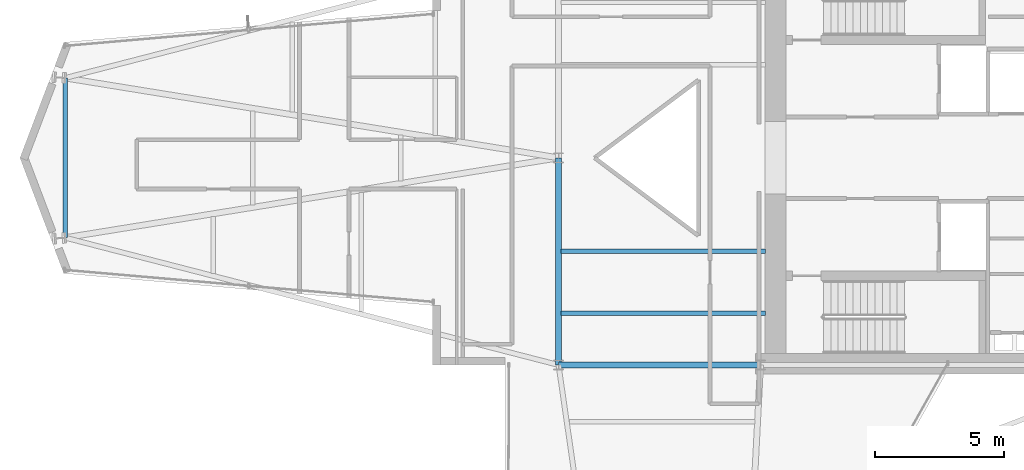
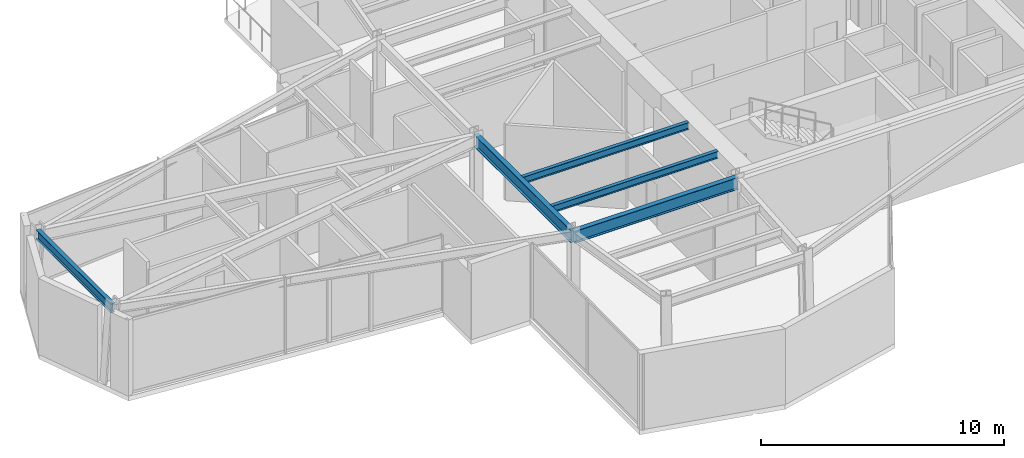
# One storey, part 6 of 23: 5 beams.
"""IFC4 building model written with IfcOpenShell, lengths in metres."""

from ifc_helpers import new_model, si_unit, direction, frame, origin, origin_2d, place, context, subcontext, project, spatial, i_section, extrude, material, material_profile, profile_set, type_object, element, save


model = new_model("IFC4")

# Units and contexts
model_context = context("Model", 3, precision=1e-05, world=origin(), true_north=direction((0.0, 1.0)))
body_context = subcontext(model_context, "Body", "Model", "MODEL_VIEW")
ifc_project = project(units=[si_unit("LENGTHUNIT", "METRE"), si_unit("AREAUNIT", "SQUARE_METRE"), si_unit("VOLUMEUNIT", "CUBIC_METRE"), si_unit("PLANEANGLEUNIT", "RADIAN"), si_unit("MASSUNIT", "GRAM", prefix="KILO")], contexts=[model_context])

# Site, building, storey
site_placement = place(None, origin())
site = spatial("IfcSite", under=ifc_project, at=site_placement, CompositionType="ELEMENT")
building_placement = place(site_placement, origin())
building = spatial("IfcBuilding", under=site, at=building_placement, Name="Veymaron Broadcast Tower", CompositionType="ELEMENT")
storey_placement = place(building_placement, frame((0.0, 0.0, 165.449951171875)))
storey = spatial("IfcBuildingStorey", under=building, at=storey_placement, Name="L38", CompositionType="ELEMENT", Elevation=165.449951171875)

# Beams
ifc_material = material(Name="Structural steel ASTM A992 Gr 50", Category="steel")
ifc_material_profile_1 = material_profile(ifc_material, i_section(OverallWidth=0.22802734375, OverallDepth=0.60791015625, WebThickness=0.01123046875, FlangeThickness=0.017333984375, at=origin_2d()), Name="W610X113")
ifc_profile_set_1 = profile_set([ifc_material_profile_1], Name="Structural steel ASTM A992 Gr 50")
beam_type_1 = type_object("IfcBeamType", Name="BM-FG2", PredefinedType="BEAM", material=ifc_profile_set_1)
beam_1_placement = place(storey_placement, frame((31.199951171875, 16.0, 3.506103515625), z_axis=(0.0, 1.0, 0.0), x_axis=(-1.0, 0.0, 0.0)))
element("IfcBeam", 1, at=beam_1_placement, inside=storey, type_object=beam_type_1, Name="L38 primary structural floor girder", PredefinedType="BEAM", context=body_context, shape_type="SweptSolid", body=[
    extrude(i_section(OverallWidth=0.22802734375, OverallDepth=0.60791015625, WebThickness=0.01123046875, FlangeThickness=0.017333984375, at=origin_2d()), origin(), (0.0, 0.0, 1.0), 8.0),
])
beam_2_placement = place(storey_placement, frame((31.199951171875, 16.0, 3.506103515625), z_axis=(1.0, 0.0, 0.0), x_axis=(0.0, 1.0, 0.0)))
element("IfcBeam", 2, at=beam_2_placement, inside=storey, type_object=beam_type_1, Name="L38 primary structural floor girder", PredefinedType="BEAM", context=body_context, shape_type="SweptSolid", body=[
    extrude(i_section(OverallWidth=0.22802734375, OverallDepth=0.60791015625, WebThickness=0.01123046875, FlangeThickness=0.017333984375, at=origin_2d()), origin(), (0.0, 0.0, 1.0), 7.800048828125),
])
ifc_material_profile_2 = material_profile(ifc_material, i_section(OverallWidth=0.1708984375, OverallDepth=0.35498046875, WebThickness=0.007080078125, FlangeThickness=0.01171875, at=origin_2d()), Name="W360X51")
ifc_profile_set_2 = profile_set([ifc_material_profile_2], Name="Structural steel ASTM A992 Gr 50")
beam_type_2 = type_object("IfcBeamType", Name="BM-JS2", PredefinedType="JOIST", material=ifc_profile_set_2)
for number, where, z_axis, x_axis, name in (
    (3, (31.300048828125, 18.0, 3.632568359375), (1.0, 0.0, 0.0), (0.0, 1.0, 0.0), "L38 Hub secondary joist 1"),
    (4, (31.300048828125, 20.39990234375, 3.632568359375), (1.0, 0.0, 0.0), (0.0, 1.0, 0.0), "L38 Hub secondary joist 2"),
):
    element("IfcBeam", number, at=place(storey_placement, frame(where, z_axis=z_axis, x_axis=x_axis)), inside=storey, type_object=beam_type_2, Name=name, PredefinedType="JOIST", context=body_context, shape_type="SweptSolid", body=[
        extrude(i_section(OverallWidth=0.1708984375, OverallDepth=0.35498046875, WebThickness=0.007080078125, FlangeThickness=0.01171875, at=origin_2d()), origin(), (0.0, 0.0, 1.0), 7.89990234375),
    ])
ifc_material_profile_3 = material_profile(ifc_material, i_section(OverallWidth=0.19091796875, OverallDepth=0.4599609375, WebThickness=0.010009765625, FlangeThickness=0.01611328125, at=origin_2d()), Name="W460X82")
ifc_profile_set_3 = profile_set([ifc_material_profile_3], Name="Structural steel ASTM A992 Gr 50")
beam_type_3 = type_object("IfcBeamType", Name="BM-SP1", PredefinedType="SPANDREL", material=ifc_profile_set_3)
beam_3_placement = place(storey_placement, frame((12.14697265625, 20.9150390625, 3.580078125), z_axis=(0.0, 1.0, 0.0), x_axis=(-1.0, 0.0, 0.0)))
element("IfcBeam", 5, at=beam_3_placement, inside=storey, type_object=beam_type_3, Name="L38 primary structural floor girder", PredefinedType="SPANDREL", context=body_context, shape_type="SweptSolid", body=[
    extrude(i_section(OverallWidth=0.19091796875, OverallDepth=0.4599609375, WebThickness=0.010009765625, FlangeThickness=0.01611328125, at=origin_2d()), origin(), (0.0, 0.0, 1.0), 6.169921875),
])

save(model, "model.ifc")
